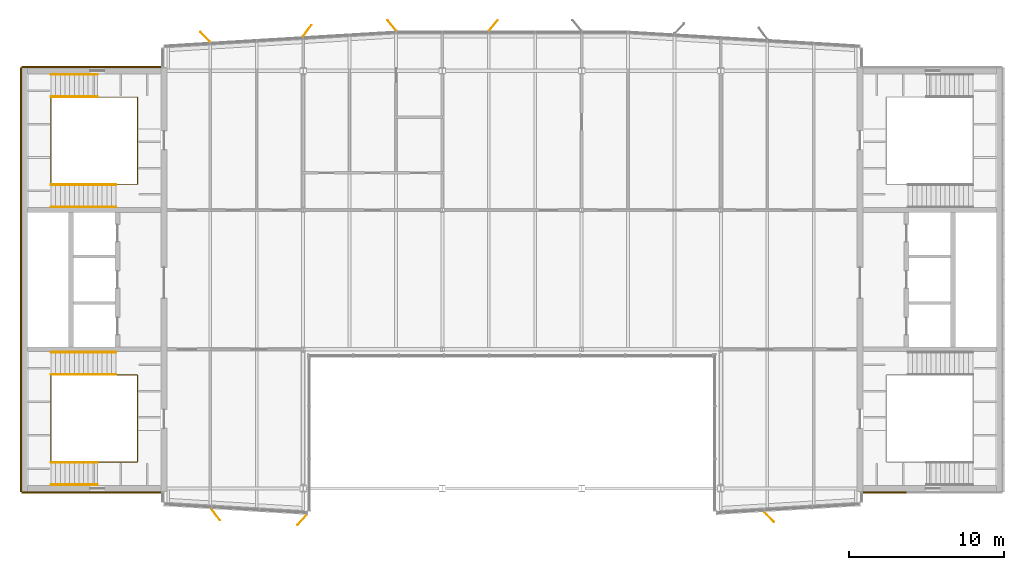
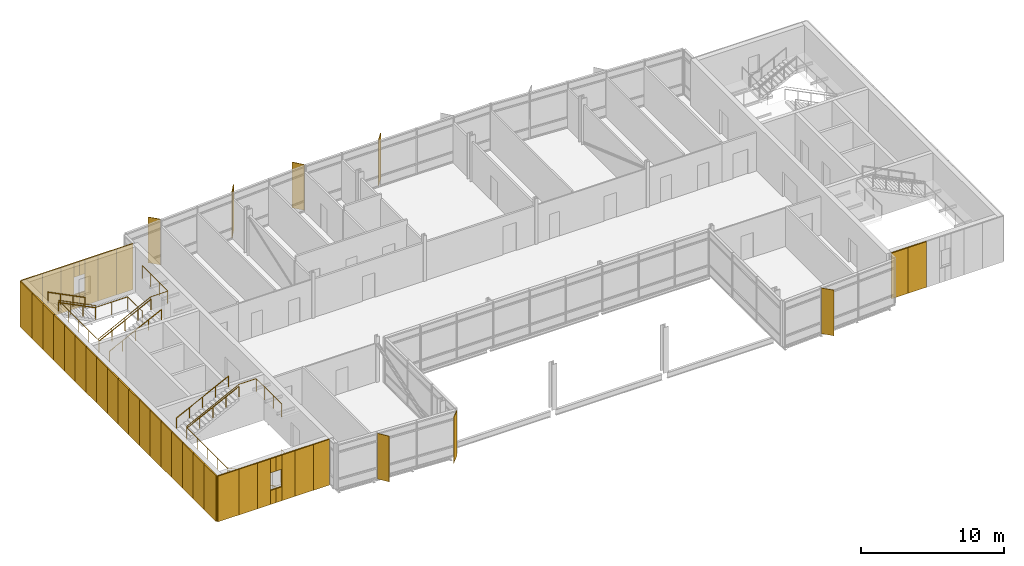
# One storey, part 19 of 20: 40 coverings, 10 railings, 7 shading devices.
"""IFC4 building model written with IfcOpenShell, lengths in metres."""

from ifc_helpers import new_model, si_unit, direction, frame, origin, origin_2d, place, context, subcontext, project, spatial, rectangle, circle, extrude, material, layer, layer_set, type_object, element, save


model = new_model("IFC4")

# Units and contexts
model_context = context("Model", 3, precision=1e-05, world=origin(), true_north=direction((0.0, 1.0)))
body_context = subcontext(model_context, "Body", "Model", "MODEL_VIEW")
ifc_project = project(units=[si_unit("LENGTHUNIT", "METRE"), si_unit("AREAUNIT", "SQUARE_METRE"), si_unit("VOLUMEUNIT", "CUBIC_METRE"), si_unit("PLANEANGLEUNIT", "RADIAN"), si_unit("MASSUNIT", "GRAM", prefix="KILO")], contexts=[model_context])

# Site, building, storey
site_placement = place(None, origin())
site = spatial("IfcSite", under=ifc_project, at=site_placement, CompositionType="ELEMENT")
building_placement = place(site_placement, origin())
building = spatial("IfcBuilding", under=site, at=building_placement, Name="Azimuth Sports and Learning Centre", CompositionType="ELEMENT")
storey_placement = place(building_placement, frame((0.0, 0.0, 71.39990234375)))
storey = spatial("IfcBuildingStorey", under=building, at=storey_placement, Name="L16", CompositionType="ELEMENT", Elevation=71.39990234375)

# Coverings
ifc_material_1 = material(Name="Cladding panel")
ifc_layer_1 = layer(ifc_material_1, 0.10009765625)
ifc_layer_set_1 = layer_set([ifc_layer_1], Name="Cladding panel")
covering_type = type_object("IfcCoveringType", Name="Cladding panel 100", PredefinedType="CLADDING", material=ifc_layer_set_1)
covering_1_placement = place(storey_placement, frame((54.64990234375, 89.75, 0.000244140625), z_axis=(0.0, 0.0, 1.0), x_axis=(1.0, 0.0, 0.0)))
element("IfcCovering", 1, at=covering_1_placement, inside=storey, type_object=covering_type, Name="Cladding panel S-CORE W L16 1", PredefinedType="CLADDING", context=body_context, shape_type="SweptSolid", body=[
    extrude(rectangle(XDim=1.699951171875, YDim=0.10009765625, at=origin_2d()), origin(), (0.0, 0.0, 1.0), 3.89990234375),
])
covering_2_placement = place(storey_placement, frame((56.25, 89.75, 0.000244140625), z_axis=(0.0, 0.0, 1.0), x_axis=(1.0, 0.0, 0.0)))
element("IfcCovering", 2, at=covering_2_placement, inside=storey, type_object=covering_type, Name="Cladding panel S-CORE W L16 2", PredefinedType="CLADDING", context=body_context, shape_type="SweptSolid", body=[
    extrude(rectangle(XDim=1.5, YDim=0.10009765625, at=origin_2d()), origin(), (0.0, 0.0, 1.0), 3.89990234375),
])
covering_3_placement = place(storey_placement, frame((57.52490234375, 89.75, 0.000244140625), z_axis=(0.0, 0.0, 1.0), x_axis=(1.0, 0.0, 0.0)))
element("IfcCovering", 3, at=covering_3_placement, inside=storey, type_object=covering_type, Name="Cladding panel S-CORE W L16 3", PredefinedType="CLADDING", context=body_context, shape_type="SweptSolid", body=[
    extrude(rectangle(XDim=1.050048828125, YDim=0.10009765625, at=origin_2d()), origin(), (0.0, 0.0, 1.0), 3.89990234375),
])
for number, where, z_axis, x_axis, name in (
    (4, (58.27490234375, 89.75, 0.0), (0.0, 0.0, 1.0), (1.0, 0.0, 0.0), "Cladding panel S-CORE W L16 4"),
    (5, (58.27490234375, 89.75, 2.7001953125), (0.0, 0.0, 1.0), (1.0, 0.0, 0.0), "Cladding panel S-CORE W L16 5"),
):
    element("IfcCovering", number, at=place(storey_placement, frame(where, z_axis=z_axis, x_axis=x_axis)), inside=storey, type_object=covering_type, Name=name, PredefinedType="CLADDING", context=body_context, shape_type="SweptSolid", body=[
        extrude(rectangle(XDim=0.449951171875, YDim=0.10009765625, at=origin_2d()), origin(), (0.0, 0.0, 1.0), 1.199951171875),
    ])
covering_4_placement = place(storey_placement, frame((59.47509765625, 89.75, 0.000244140625), z_axis=(0.0, 0.0, 1.0), x_axis=(1.0, 0.0, 0.0)))
element("IfcCovering", 6, at=covering_4_placement, inside=storey, type_object=covering_type, Name="Cladding panel S-CORE W L16 6", PredefinedType="CLADDING", context=body_context, shape_type="SweptSolid", body=[
    extrude(rectangle(XDim=1.050048828125, YDim=0.10009765625, at=origin_2d()), origin(), (0.0, 0.0, 1.0), 3.89990234375),
])
for number, where, z_axis, x_axis, name in (
    (7, (58.72509765625, 89.75, 0.0), (0.0, 0.0, 1.0), (1.0, 0.0, 0.0), "Cladding panel S-CORE W L16 7"),
    (8, (58.72509765625, 89.75, 2.7001953125), (0.0, 0.0, 1.0), (1.0, 0.0, 0.0), "Cladding panel S-CORE W L16 8"),
):
    element("IfcCovering", number, at=place(storey_placement, frame(where, z_axis=z_axis, x_axis=x_axis)), inside=storey, type_object=covering_type, Name=name, PredefinedType="CLADDING", context=body_context, shape_type="SweptSolid", body=[
        extrude(rectangle(XDim=0.449951171875, YDim=0.10009765625, at=origin_2d()), origin(), (0.0, 0.0, 1.0), 1.199951171875),
    ])
covering_5_placement = place(storey_placement, frame((60.75, 89.75, 0.000244140625), z_axis=(0.0, 0.0, 1.0), x_axis=(1.0, 0.0, 0.0)))
element("IfcCovering", 9, at=covering_5_placement, inside=storey, type_object=covering_type, Name="Cladding panel S-CORE W L16 9", PredefinedType="CLADDING", context=body_context, shape_type="SweptSolid", body=[
    extrude(rectangle(XDim=1.5, YDim=0.10009765625, at=origin_2d()), origin(), (0.0, 0.0, 1.0), 3.89990234375),
])
for number, where, z_axis, x_axis, name in (
    (10, (62.159912109375, 89.75, 0.000244140625), (0.0, 0.0, 1.0), (1.0, 0.0, 0.0), "Cladding panel S-CORE W L16 10"),
    (11, (108.840087890625, 89.75, 0.000244140625), (0.0, 0.0, 1.0), (1.0, 0.0, 0.0), "Cladding panel S-CORE E L16 1"),
):
    element("IfcCovering", number, at=place(storey_placement, frame(where, z_axis=z_axis, x_axis=x_axis)), inside=storey, type_object=covering_type, Name=name, PredefinedType="CLADDING", context=body_context, shape_type="SweptSolid", body=[
        extrude(rectangle(XDim=1.320068359375, YDim=0.10009765625, at=origin_2d()), origin(), (0.0, 0.0, 1.0), 3.89990234375),
    ])
covering_6_placement = place(storey_placement, frame((110.25, 89.75, 0.000244140625), z_axis=(0.0, 0.0, 1.0), x_axis=(1.0, 0.0, 0.0)))
element("IfcCovering", 12, at=covering_6_placement, inside=storey, type_object=covering_type, Name="Cladding panel S-CORE E L16 2", PredefinedType="CLADDING", context=body_context, shape_type="SweptSolid", body=[
    extrude(rectangle(XDim=1.5, YDim=0.10009765625, at=origin_2d()), origin(), (0.0, 0.0, 1.0), 3.89990234375),
])
covering_7_placement = place(storey_placement, frame((62.159912109375, 117.25, 0.000244140625), z_axis=(0.0, 0.0, 1.0), x_axis=(-1.0, 0.0, 0.0)))
element("IfcCovering", 13, at=covering_7_placement, inside=storey, type_object=covering_type, Name="Cladding panel N-CORE W L16 1", PredefinedType="CLADDING", context=body_context, shape_type="SweptSolid", body=[
    extrude(rectangle(XDim=1.320068359375, YDim=0.10009765625, at=origin_2d()), origin(), (0.0, 0.0, 1.0), 3.89990234375),
])
covering_8_placement = place(storey_placement, frame((60.75, 117.25, 0.000244140625), z_axis=(0.0, 0.0, 1.0), x_axis=(-1.0, 0.0, 0.0)))
element("IfcCovering", 14, at=covering_8_placement, inside=storey, type_object=covering_type, Name="Cladding panel N-CORE W L16 2", PredefinedType="CLADDING", context=body_context, shape_type="SweptSolid", body=[
    extrude(rectangle(XDim=1.5, YDim=0.10009765625, at=origin_2d()), origin(), (0.0, 0.0, 1.0), 3.89990234375),
])
covering_9_placement = place(storey_placement, frame((59.47509765625, 117.25, 0.000244140625), z_axis=(0.0, 0.0, 1.0), x_axis=(-1.0, 0.0, 0.0)))
element("IfcCovering", 15, at=covering_9_placement, inside=storey, type_object=covering_type, Name="Cladding panel N-CORE W L16 3", PredefinedType="CLADDING", context=body_context, shape_type="SweptSolid", body=[
    extrude(rectangle(XDim=1.050048828125, YDim=0.10009765625, at=origin_2d()), origin(), (0.0, 0.0, 1.0), 3.89990234375),
])
for number, where, z_axis, x_axis, name in (
    (16, (58.72509765625, 117.25, 0.0), (0.0, 0.0, 1.0), (-1.0, 0.0, 0.0), "Cladding panel N-CORE W L16 4"),
    (17, (58.72509765625, 117.25, 2.7001953125), (0.0, 0.0, 1.0), (-1.0, 0.0, 0.0), "Cladding panel N-CORE W L16 5"),
):
    element("IfcCovering", number, at=place(storey_placement, frame(where, z_axis=z_axis, x_axis=x_axis)), inside=storey, type_object=covering_type, Name=name, PredefinedType="CLADDING", context=body_context, shape_type="SweptSolid", body=[
        extrude(rectangle(XDim=0.449951171875, YDim=0.10009765625, at=origin_2d()), origin(), (0.0, 0.0, 1.0), 1.199951171875),
    ])
covering_10_placement = place(storey_placement, frame((57.52490234375, 117.25, 0.000244140625), z_axis=(0.0, 0.0, 1.0), x_axis=(-1.0, 0.0, 0.0)))
element("IfcCovering", 18, at=covering_10_placement, inside=storey, type_object=covering_type, Name="Cladding panel N-CORE W L16 6", PredefinedType="CLADDING", context=body_context, shape_type="SweptSolid", body=[
    extrude(rectangle(XDim=1.050048828125, YDim=0.10009765625, at=origin_2d()), origin(), (0.0, 0.0, 1.0), 3.89990234375),
])
for number, where, z_axis, x_axis, name in (
    (19, (58.27490234375, 117.25, 0.0), (0.0, 0.0, 1.0), (-1.0, 0.0, 0.0), "Cladding panel N-CORE W L16 7"),
    (20, (58.27490234375, 117.25, 2.7001953125), (0.0, 0.0, 1.0), (-1.0, 0.0, 0.0), "Cladding panel N-CORE W L16 8"),
):
    element("IfcCovering", number, at=place(storey_placement, frame(where, z_axis=z_axis, x_axis=x_axis)), inside=storey, type_object=covering_type, Name=name, PredefinedType="CLADDING", context=body_context, shape_type="SweptSolid", body=[
        extrude(rectangle(XDim=0.449951171875, YDim=0.10009765625, at=origin_2d()), origin(), (0.0, 0.0, 1.0), 1.199951171875),
    ])
covering_11_placement = place(storey_placement, frame((56.25, 117.25, 0.000244140625), z_axis=(0.0, 0.0, 1.0), x_axis=(-1.0, 0.0, 0.0)))
element("IfcCovering", 21, at=covering_11_placement, inside=storey, type_object=covering_type, Name="Cladding panel N-CORE W L16 9", PredefinedType="CLADDING", context=body_context, shape_type="SweptSolid", body=[
    extrude(rectangle(XDim=1.5, YDim=0.10009765625, at=origin_2d()), origin(), (0.0, 0.0, 1.0), 3.89990234375),
])
for number, where, z_axis, x_axis, name in (
    (22, (54.64990234375, 117.25, 0.000244140625), (0.0, 0.0, 1.0), (-1.0, 0.0, 0.0), "Cladding panel N-CORE W L16 10"),
    (23, (53.75, 116.35009765625, 0.000244140625), (0.0, 0.0, 1.0), (0.0, -1.0, 0.0), "Cladding panel W-CORE W L16 1"),
):
    element("IfcCovering", number, at=place(storey_placement, frame(where, z_axis=z_axis, x_axis=x_axis)), inside=storey, type_object=covering_type, Name=name, PredefinedType="CLADDING", context=body_context, shape_type="SweptSolid", body=[
        extrude(rectangle(XDim=1.699951171875, YDim=0.10009765625, at=origin_2d()), origin(), (0.0, 0.0, 1.0), 3.89990234375),
    ])
for number, where, z_axis, x_axis, name in (
    (24, (53.75, 114.75, 0.000244140625), (0.0, 0.0, 1.0), (0.0, -1.0, 0.0), "Cladding panel W-CORE W L16 2"),
    (25, (53.75, 113.25, 0.000244140625), (0.0, 0.0, 1.0), (0.0, -1.0, 0.0), "Cladding panel W-CORE W L16 3"),
    (26, (53.75, 111.75, 0.000244140625), (0.0, 0.0, 1.0), (0.0, -1.0, 0.0), "Cladding panel W-CORE W L16 4"),
    (27, (53.75, 110.25, 0.000244140625), (0.0, 0.0, 1.0), (0.0, -1.0, 0.0), "Cladding panel W-CORE W L16 5"),
    (28, (53.75, 108.75, 0.000244140625), (0.0, 0.0, 1.0), (0.0, -1.0, 0.0), "Cladding panel W-CORE W L16 6"),
    (29, (53.75, 107.25, 0.000244140625), (0.0, 0.0, 1.0), (0.0, -1.0, 0.0), "Cladding panel W-CORE W L16 7"),
    (30, (53.75, 105.75, 0.000244140625), (0.0, 0.0, 1.0), (0.0, -1.0, 0.0), "Cladding panel W-CORE W L16 8"),
    (31, (53.75, 104.25, 0.000244140625), (0.0, 0.0, 1.0), (0.0, -1.0, 0.0), "Cladding panel W-CORE W L16 9"),
    (32, (53.75, 102.75, 0.000244140625), (0.0, 0.0, 1.0), (0.0, -1.0, 0.0), "Cladding panel W-CORE W L16 10"),
    (33, (53.75, 101.25, 0.000244140625), (0.0, 0.0, 1.0), (0.0, -1.0, 0.0), "Cladding panel W-CORE W L16 11"),
    (34, (53.75, 99.75, 0.000244140625), (0.0, 0.0, 1.0), (0.0, -1.0, 0.0), "Cladding panel W-CORE W L16 12"),
    (35, (53.75, 98.25, 0.000244140625), (0.0, 0.0, 1.0), (0.0, -1.0, 0.0), "Cladding panel W-CORE W L16 13"),
    (36, (53.75, 96.75, 0.000244140625), (0.0, 0.0, 1.0), (0.0, -1.0, 0.0), "Cladding panel W-CORE W L16 14"),
    (37, (53.75, 95.25, 0.000244140625), (0.0, 0.0, 1.0), (0.0, -1.0, 0.0), "Cladding panel W-CORE W L16 15"),
    (38, (53.75, 93.75, 0.000244140625), (0.0, 0.0, 1.0), (0.0, -1.0, 0.0), "Cladding panel W-CORE W L16 16"),
    (39, (53.75, 92.25, 0.000244140625), (0.0, 0.0, 1.0), (0.0, -1.0, 0.0), "Cladding panel W-CORE W L16 17"),
):
    element("IfcCovering", number, at=place(storey_placement, frame(where, z_axis=z_axis, x_axis=x_axis)), inside=storey, type_object=covering_type, Name=name, PredefinedType="CLADDING", context=body_context, shape_type="SweptSolid", body=[
        extrude(rectangle(XDim=1.5, YDim=0.10009765625, at=origin_2d()), origin(), (0.0, 0.0, 1.0), 3.89990234375),
    ])
covering_12_placement = place(storey_placement, frame((53.75, 90.64990234375, 0.000244140625), z_axis=(0.0, 0.0, 1.0), x_axis=(0.0, -1.0, 0.0)))
element("IfcCovering", 40, at=covering_12_placement, inside=storey, type_object=covering_type, Name="Cladding panel W-CORE W L16 18", PredefinedType="CLADDING", context=body_context, shape_type="SweptSolid", body=[
    extrude(rectangle(XDim=1.699951171875, YDim=0.10009765625, at=origin_2d()), origin(), (0.0, 0.0, 1.0), 3.89990234375),
])

# Shading devices
ifc_material_2 = material(Name="Aluminium", Category="aluminium")
ifc_layer_2 = layer(ifc_material_2, 0.0400390625)
ifc_layer_set_2 = layer_set([ifc_layer_2], Name="Aluminium")
shading_device_type = type_object("IfcShadingDeviceType", Name="Shading fin 900", PredefinedType="JALOUSIE", material=ifc_layer_set_2)
for number, where, z_axis, x_axis, name in (
    (41, (66.353759765625, 88.31298828125, 0.000244140625), (0.0, 0.0, 1.0), (0.595753790608, -0.803167118958, 0.0), "Shading fin F16-001"),
    (42, (71.94140625, 87.977783203125, 0.000244140625), (0.0, 0.0, 1.0), (-0.687513645637, -0.726171458447, 0.0), "Shading fin F16-002"),
    (43, (102.123779296875, 88.16162109375, 0.000244140625), (0.0, 0.0, 1.0), (0.687513645637, -0.726171458447, 0.0), "Shading fin F16-003"),
    (44, (84.289306640625, 119.9248046875, 0.000244140625), (0.0, 0.0, 1.0), (0.642787609687, 0.766044443119, 0.0), "Shading fin F16-007"),
    (45, (77.74072265625, 119.9248046875, 0.000244140625), (0.0, 0.0, 1.0), (-0.642787609687, 0.766044443119, 0.0), "Shading fin F16-008"),
    (46, (72.25732421875, 119.5810546875, 0.000244140625), (0.0, 0.0, 1.0), (0.595753790608, 0.803167118958, 0.0), "Shading fin F16-009"),
    (47, (65.679931640625, 119.1865234375, 0.000244140625), (0.0, 0.0, 1.0), (-0.687513645637, 0.726171458447, 0.0), "Shading fin F16-010"),
):
    element("IfcShadingDevice", number, at=place(storey_placement, frame(where, z_axis=z_axis, x_axis=x_axis)), inside=storey, type_object=shading_device_type, Name=name, PredefinedType="JALOUSIE", context=body_context, shape_type="SweptSolid", body=[
        extrude(rectangle(XDim=0.89990234375, YDim=0.0400390625, at=origin_2d()), origin(), (0.0, 0.0, 1.0), 3.89990234375),
    ])

# Railings
ifc_material_3 = material(Name="Stainless steel", Category="steel")
railing_type_1 = type_object("IfcRailingType", Name="Stair guard 1100", PredefinedType="GUARDRAIL", material=ifc_material_3)
railing_1_placement = place(storey_placement, frame((61.2900390625, 93.75, 0.0)))
element("IfcRailing", 48, at=railing_1_placement, inside=storey, type_object=railing_type_1, Name="Guard W1 L16 well", PredefinedType="GUARDRAIL", context=body_context, shape_type="SweptSolid", body=[
    extrude(circle(Radius=0.02392578125, at=origin_2d()), frame((0.0, 0.0, 1.076171875), z_axis=(0.0, -1.0, 0.0), x_axis=(1.0, 0.0, 0.0)), (0.0, 0.0, 1.0), 2.0400390625),
    extrude(circle(Radius=0.02392578125, at=origin_2d()), frame((0.0, -2.0400390625, 1.076171875), z_axis=(-1.0, 0.0, 0.0), x_axis=(0.0, -1.0, 0.0)), (0.0, 0.0, 1.0), 2.580078125),
    extrude(circle(Radius=0.02392578125, at=origin_2d()), frame((-2.580078125, -2.0400390625, 1.076171875), z_axis=(0.0, 0.0, 1.0), x_axis=(1.0, 0.0, 0.0)), (0.0, 0.0, 1.0), 0.150146484375),
    extrude(circle(Radius=0.02392578125, at=origin_2d()), frame((-2.580078125, -2.0400390625, 1.22607421875), z_axis=(-0.894427191, 0.0, 0.4472135955), x_axis=(0.0, -1.0, 0.0)), (0.0, 0.0, 1.0), 3.35400390625),
    extrude(circle(Radius=0.02392578125, at=origin_2d()), frame((-5.580078125, -2.0400390625, 2.72607421875), z_axis=(0.0, 1.0, 0.0), x_axis=(-1.0, 0.0, 0.0)), (0.0, 0.0, 1.0), 5.630126953125),
    extrude(circle(Radius=0.02392578125, at=origin_2d()), frame((-5.580078125, 3.590087890625, 2.72607421875), z_axis=(0.0, 0.0, 1.0), x_axis=(1.0, 0.0, 0.0)), (0.0, 0.0, 1.0), 0.14990234375),
    extrude(circle(Radius=0.02392578125, at=origin_2d()), frame((-5.580078125, 3.590087890625, 2.8759765625), z_axis=(0.894416792377, 0.0, 0.447234392142), x_axis=(0.0, 1.0, 0.0)), (0.0, 0.0, 1.0), 4.69580078125),
    extrude(circle(Radius=0.02392578125, at=origin_2d()), frame((-1.380126953125, 3.590087890625, 4.97607421875), z_axis=(1.0, 0.0, 0.0), x_axis=(0.0, 1.0, 0.0)), (0.0, 0.0, 1.0), 1.380126953125),
    extrude(circle(Radius=0.02392578125, at=origin_2d()), frame((0.0, 3.590087890625, 4.97607421875), z_axis=(0.0, -1.0, 0.0), x_axis=(1.0, 0.0, 0.0)), (0.0, 0.0, 1.0), 3.590087890625),
    extrude(circle(Radius=0.01611328125, at=origin_2d()), origin(), (0.0, 0.0, 1.0), 1.052001953125),
    extrude(circle(Radius=0.01611328125, at=origin_2d()), frame((0.0, -1.02001953125, 0.0)), (0.0, 0.0, 1.0), 1.052001953125),
    extrude(circle(Radius=0.01611328125, at=origin_2d()), frame((0.0, -2.0400390625, 0.0)), (0.0, 0.0, 1.0), 1.052001953125),
    extrude(circle(Radius=0.01611328125, at=origin_2d()), frame((-1.2900390625, -2.0400390625, 0.0)), (0.0, 0.0, 1.0), 1.052001953125),
    extrude(circle(Radius=0.01611328125, at=origin_2d()), frame((-2.580078125, -2.0400390625, 0.0)), (0.0, 0.0, 1.0), 1.052001953125),
    extrude(circle(Radius=0.01611328125, at=origin_2d()), frame((-2.580078125, -2.0400390625, 0.150146484375)), (0.0, 0.0, 1.0), 1.052001953125),
    extrude(circle(Radius=0.01611328125, at=origin_2d()), frame((-3.580078125, -2.0400390625, 0.650146484375)), (0.0, 0.0, 1.0), 1.052001953125),
    extrude(circle(Radius=0.01611328125, at=origin_2d()), frame((-4.580078125, -2.0400390625, 1.150146484375)), (0.0, 0.0, 1.0), 1.052001953125),
    extrude(circle(Radius=0.01611328125, at=origin_2d()), frame((-5.580078125, -2.0400390625, 1.650146484375)), (0.0, 0.0, 1.0), 1.052001953125),
    extrude(circle(Radius=0.01611328125, at=origin_2d()), frame((-5.580078125, -0.632568359375, 1.650146484375)), (0.0, 0.0, 1.0), 1.052001953125),
    extrude(circle(Radius=0.01611328125, at=origin_2d()), frame((-5.580078125, 0.77490234375, 1.650146484375)), (0.0, 0.0, 1.0), 1.052001953125),
    extrude(circle(Radius=0.01611328125, at=origin_2d()), frame((-5.580078125, 2.1826171875, 1.650146484375)), (0.0, 0.0, 1.0), 1.052001953125),
    extrude(circle(Radius=0.01611328125, at=origin_2d()), frame((-5.580078125, 3.590087890625, 1.650146484375)), (0.0, 0.0, 1.0), 1.052001953125),
    extrude(circle(Radius=0.01611328125, at=origin_2d()), frame((-5.580078125, 3.590087890625, 1.800048828125)), (0.0, 0.0, 1.0), 1.052001953125),
    extrude(circle(Radius=0.01611328125, at=origin_2d()), frame((-4.530029296875, 3.590087890625, 2.3251953125)), (0.0, 0.0, 1.0), 1.052001953125),
    extrude(circle(Radius=0.01611328125, at=origin_2d()), frame((-3.47998046875, 3.590087890625, 2.85009765625)), (0.0, 0.0, 1.0), 1.052001953125),
    extrude(circle(Radius=0.01611328125, at=origin_2d()), frame((-2.43017578125, 3.590087890625, 3.375)), (0.0, 0.0, 1.0), 1.052001953125),
    extrude(circle(Radius=0.01611328125, at=origin_2d()), frame((-1.380126953125, 3.590087890625, 3.900146484375)), (0.0, 0.0, 1.0), 1.052001953125),
    extrude(circle(Radius=0.01611328125, at=origin_2d()), frame((0.0, 3.590087890625, 3.900146484375)), (0.0, 0.0, 1.0), 1.052001953125),
    extrude(circle(Radius=0.01611328125, at=origin_2d()), frame((0.0, 2.393310546875, 3.900146484375)), (0.0, 0.0, 1.0), 1.052001953125),
    extrude(circle(Radius=0.01611328125, at=origin_2d()), frame((0.0, 1.19677734375, 3.900146484375)), (0.0, 0.0, 1.0), 1.052001953125),
    extrude(circle(Radius=0.01611328125, at=origin_2d()), frame((0.0, 0.0, 3.900146484375)), (0.0, 0.0, 1.0), 1.052001953125),
])
railing_2_placement = place(storey_placement, frame((61.2900390625, 113.25, 0.0)))
element("IfcRailing", 49, at=railing_2_placement, inside=storey, type_object=railing_type_1, Name="Guard W2 L16 well", PredefinedType="GUARDRAIL", context=body_context, shape_type="SweptSolid", body=[
    extrude(circle(Radius=0.02392578125, at=origin_2d()), frame((0.0, 0.0, 1.076171875), z_axis=(0.0, 1.0, 0.0), x_axis=(-1.0, 0.0, 0.0)), (0.0, 0.0, 1.0), 2.0400390625),
    extrude(circle(Radius=0.02392578125, at=origin_2d()), frame((0.0, 2.0400390625, 1.076171875), z_axis=(-1.0, 0.0, 0.0), x_axis=(0.0, -1.0, 0.0)), (0.0, 0.0, 1.0), 2.580078125),
    extrude(circle(Radius=0.02392578125, at=origin_2d()), frame((-2.580078125, 2.0400390625, 1.076171875), z_axis=(0.0, 0.0, 1.0), x_axis=(1.0, 0.0, 0.0)), (0.0, 0.0, 1.0), 0.150146484375),
    extrude(circle(Radius=0.02392578125, at=origin_2d()), frame((-2.580078125, 2.0400390625, 1.22607421875), z_axis=(-0.894427191, 0.0, 0.4472135955), x_axis=(0.0, -1.0, 0.0)), (0.0, 0.0, 1.0), 3.35400390625),
    extrude(circle(Radius=0.02392578125, at=origin_2d()), frame((-5.580078125, 2.0400390625, 2.72607421875), z_axis=(0.0, -1.0, 0.0), x_axis=(1.0, 0.0, 0.0)), (0.0, 0.0, 1.0), 5.630126953125),
    extrude(circle(Radius=0.02392578125, at=origin_2d()), frame((-5.580078125, -3.590087890625, 2.72607421875), z_axis=(0.0, 0.0, 1.0), x_axis=(1.0, 0.0, 0.0)), (0.0, 0.0, 1.0), 0.14990234375),
    extrude(circle(Radius=0.02392578125, at=origin_2d()), frame((-5.580078125, -3.590087890625, 2.8759765625), z_axis=(0.894416792377, 0.0, 0.447234392142), x_axis=(0.0, 1.0, 0.0)), (0.0, 0.0, 1.0), 4.69580078125),
    extrude(circle(Radius=0.02392578125, at=origin_2d()), frame((-1.380126953125, -3.590087890625, 4.97607421875), z_axis=(1.0, 0.0, 0.0), x_axis=(0.0, 1.0, 0.0)), (0.0, 0.0, 1.0), 1.380126953125),
    extrude(circle(Radius=0.02392578125, at=origin_2d()), frame((0.0, -3.590087890625, 4.97607421875), z_axis=(0.0, 1.0, 0.0), x_axis=(-1.0, 0.0, 0.0)), (0.0, 0.0, 1.0), 3.590087890625),
    extrude(circle(Radius=0.01611328125, at=origin_2d()), origin(), (0.0, 0.0, 1.0), 1.052001953125),
    extrude(circle(Radius=0.01611328125, at=origin_2d()), frame((0.0, 1.02001953125, 0.0)), (0.0, 0.0, 1.0), 1.052001953125),
    extrude(circle(Radius=0.01611328125, at=origin_2d()), frame((0.0, 2.0400390625, 0.0)), (0.0, 0.0, 1.0), 1.052001953125),
    extrude(circle(Radius=0.01611328125, at=origin_2d()), frame((-1.2900390625, 2.0400390625, 0.0)), (0.0, 0.0, 1.0), 1.052001953125),
    extrude(circle(Radius=0.01611328125, at=origin_2d()), frame((-2.580078125, 2.0400390625, 0.0)), (0.0, 0.0, 1.0), 1.052001953125),
    extrude(circle(Radius=0.01611328125, at=origin_2d()), frame((-2.580078125, 2.0400390625, 0.150146484375)), (0.0, 0.0, 1.0), 1.052001953125),
    extrude(circle(Radius=0.01611328125, at=origin_2d()), frame((-3.580078125, 2.0400390625, 0.650146484375)), (0.0, 0.0, 1.0), 1.052001953125),
    extrude(circle(Radius=0.01611328125, at=origin_2d()), frame((-4.580078125, 2.0400390625, 1.150146484375)), (0.0, 0.0, 1.0), 1.052001953125),
    extrude(circle(Radius=0.01611328125, at=origin_2d()), frame((-5.580078125, 2.0400390625, 1.650146484375)), (0.0, 0.0, 1.0), 1.052001953125),
    extrude(circle(Radius=0.01611328125, at=origin_2d()), frame((-5.580078125, 0.632568359375, 1.650146484375)), (0.0, 0.0, 1.0), 1.052001953125),
    extrude(circle(Radius=0.01611328125, at=origin_2d()), frame((-5.580078125, -0.77490234375, 1.650146484375)), (0.0, 0.0, 1.0), 1.052001953125),
    extrude(circle(Radius=0.01611328125, at=origin_2d()), frame((-5.580078125, -2.1826171875, 1.650146484375)), (0.0, 0.0, 1.0), 1.052001953125),
    extrude(circle(Radius=0.01611328125, at=origin_2d()), frame((-5.580078125, -3.590087890625, 1.650146484375)), (0.0, 0.0, 1.0), 1.052001953125),
    extrude(circle(Radius=0.01611328125, at=origin_2d()), frame((-5.580078125, -3.590087890625, 1.800048828125)), (0.0, 0.0, 1.0), 1.052001953125),
    extrude(circle(Radius=0.01611328125, at=origin_2d()), frame((-4.530029296875, -3.590087890625, 2.3251953125)), (0.0, 0.0, 1.0), 1.052001953125),
    extrude(circle(Radius=0.01611328125, at=origin_2d()), frame((-3.47998046875, -3.590087890625, 2.85009765625)), (0.0, 0.0, 1.0), 1.052001953125),
    extrude(circle(Radius=0.01611328125, at=origin_2d()), frame((-2.43017578125, -3.590087890625, 3.375)), (0.0, 0.0, 1.0), 1.052001953125),
    extrude(circle(Radius=0.01611328125, at=origin_2d()), frame((-1.380126953125, -3.590087890625, 3.900146484375)), (0.0, 0.0, 1.0), 1.052001953125),
    extrude(circle(Radius=0.01611328125, at=origin_2d()), frame((0.0, -3.590087890625, 3.900146484375)), (0.0, 0.0, 1.0), 1.052001953125),
    extrude(circle(Radius=0.01611328125, at=origin_2d()), frame((0.0, -2.393310546875, 3.900146484375)), (0.0, 0.0, 1.0), 1.052001953125),
    extrude(circle(Radius=0.01611328125, at=origin_2d()), frame((0.0, -1.19677734375, 3.900146484375)), (0.0, 0.0, 1.0), 1.052001953125),
    extrude(circle(Radius=0.01611328125, at=origin_2d()), frame((0.0, 0.0, 3.900146484375)), (0.0, 0.0, 1.0), 1.052001953125),
])
ifc_material_4 = material(Name="Stainless steel", Category="steel")
railing_type_2 = type_object("IfcRailingType", Name="Stair handrail 42", PredefinedType="HANDRAIL", material=ifc_material_4)
for number, where, name in (
    (50, (58.7099609375, 91.679931640625, 0.150146484375), "Handrail W1 L16 flight 1 inner"),
    (51, (58.7099609375, 90.239990234375, 0.150146484375), "Handrail W1 L16 flight 1 outer"),
):
    element("IfcRailing", number, at=place(storey_placement, frame(where)), inside=storey, type_object=railing_type_2, Name=name, PredefinedType="HANDRAIL", context=body_context, shape_type="SweptSolid", body=[
        extrude(circle(Radius=0.02099609375, at=origin_2d()), frame((0.0, 0.0, 0.87890625), z_axis=(-0.894427191, 0.0, 0.4472135955), x_axis=(0.0, -1.0, 0.0)), (0.0, 0.0, 1.0), 3.35400390625),
        extrude(circle(Radius=0.01611328125, at=origin_2d()), origin(), (0.0, 0.0, 1.0), 0.85791015625),
        extrude(circle(Radius=0.01611328125, at=origin_2d()), frame((-1.0, 0.0, 0.5)), (0.0, 0.0, 1.0), 0.85791015625),
        extrude(circle(Radius=0.01611328125, at=origin_2d()), frame((-2.0, 0.0, 1.0)), (0.0, 0.0, 1.0), 0.85791015625),
        extrude(circle(Radius=0.01611328125, at=origin_2d()), frame((-3.0, 0.0, 1.5)), (0.0, 0.0, 1.0), 0.85791015625),
    ])
for number, where, name in (
    (52, (55.7099609375, 97.3701171875, 1.800048828125), "Handrail W1 L16 flight 2 inner"),
    (53, (55.7099609375, 98.81005859375, 1.800048828125), "Handrail W1 L16 flight 2 outer"),
):
    element("IfcRailing", number, at=place(storey_placement, frame(where)), inside=storey, type_object=railing_type_2, Name=name, PredefinedType="HANDRAIL", context=body_context, shape_type="SweptSolid", body=[
        extrude(circle(Radius=0.02099609375, at=origin_2d()), frame((0.0, 0.0, 0.87890625), z_axis=(0.894416792377, 0.0, 0.447234392142), x_axis=(0.0, 1.0, 0.0)), (0.0, 0.0, 1.0), 4.69580078125),
        extrude(circle(Radius=0.01611328125, at=origin_2d()), origin(), (0.0, 0.0, 1.0), 0.85791015625),
        extrude(circle(Radius=0.01611328125, at=origin_2d()), frame((1.050048828125, 0.0, 0.52490234375)), (0.0, 0.0, 1.0), 0.85791015625),
        extrude(circle(Radius=0.01611328125, at=origin_2d()), frame((2.10009765625, 0.0, 1.050048828125)), (0.0, 0.0, 1.0), 0.85791015625),
        extrude(circle(Radius=0.01611328125, at=origin_2d()), frame((3.14990234375, 0.0, 1.5751953125)), (0.0, 0.0, 1.0), 0.85791015625),
        extrude(circle(Radius=0.01611328125, at=origin_2d()), frame((4.199951171875, 0.0, 2.10009765625)), (0.0, 0.0, 1.0), 0.85791015625),
    ])
for number, where, name in (
    (54, (58.7099609375, 115.320068359375, 0.150146484375), "Handrail W2 L16 flight 1 inner"),
    (55, (58.7099609375, 116.760009765625, 0.150146484375), "Handrail W2 L16 flight 1 outer"),
):
    element("IfcRailing", number, at=place(storey_placement, frame(where)), inside=storey, type_object=railing_type_2, Name=name, PredefinedType="HANDRAIL", context=body_context, shape_type="SweptSolid", body=[
        extrude(circle(Radius=0.02099609375, at=origin_2d()), frame((0.0, 0.0, 0.87890625), z_axis=(-0.894427191, 0.0, 0.4472135955), x_axis=(0.0, -1.0, 0.0)), (0.0, 0.0, 1.0), 3.35400390625),
        extrude(circle(Radius=0.01611328125, at=origin_2d()), origin(), (0.0, 0.0, 1.0), 0.85791015625),
        extrude(circle(Radius=0.01611328125, at=origin_2d()), frame((-1.0, 0.0, 0.5)), (0.0, 0.0, 1.0), 0.85791015625),
        extrude(circle(Radius=0.01611328125, at=origin_2d()), frame((-2.0, 0.0, 1.0)), (0.0, 0.0, 1.0), 0.85791015625),
        extrude(circle(Radius=0.01611328125, at=origin_2d()), frame((-3.0, 0.0, 1.5)), (0.0, 0.0, 1.0), 0.85791015625),
    ])
for number, where, name in (
    (56, (55.7099609375, 109.6298828125, 1.800048828125), "Handrail W2 L16 flight 2 inner"),
    (57, (55.7099609375, 108.18994140625, 1.800048828125), "Handrail W2 L16 flight 2 outer"),
):
    element("IfcRailing", number, at=place(storey_placement, frame(where)), inside=storey, type_object=railing_type_2, Name=name, PredefinedType="HANDRAIL", context=body_context, shape_type="SweptSolid", body=[
        extrude(circle(Radius=0.02099609375, at=origin_2d()), frame((0.0, 0.0, 0.87890625), z_axis=(0.894416792377, 0.0, 0.447234392142), x_axis=(0.0, 1.0, 0.0)), (0.0, 0.0, 1.0), 4.69580078125),
        extrude(circle(Radius=0.01611328125, at=origin_2d()), origin(), (0.0, 0.0, 1.0), 0.85791015625),
        extrude(circle(Radius=0.01611328125, at=origin_2d()), frame((1.050048828125, 0.0, 0.52490234375)), (0.0, 0.0, 1.0), 0.85791015625),
        extrude(circle(Radius=0.01611328125, at=origin_2d()), frame((2.10009765625, 0.0, 1.050048828125)), (0.0, 0.0, 1.0), 0.85791015625),
        extrude(circle(Radius=0.01611328125, at=origin_2d()), frame((3.14990234375, 0.0, 1.5751953125)), (0.0, 0.0, 1.0), 0.85791015625),
        extrude(circle(Radius=0.01611328125, at=origin_2d()), frame((4.199951171875, 0.0, 2.10009765625)), (0.0, 0.0, 1.0), 0.85791015625),
    ])

save(model, "model.ifc")
